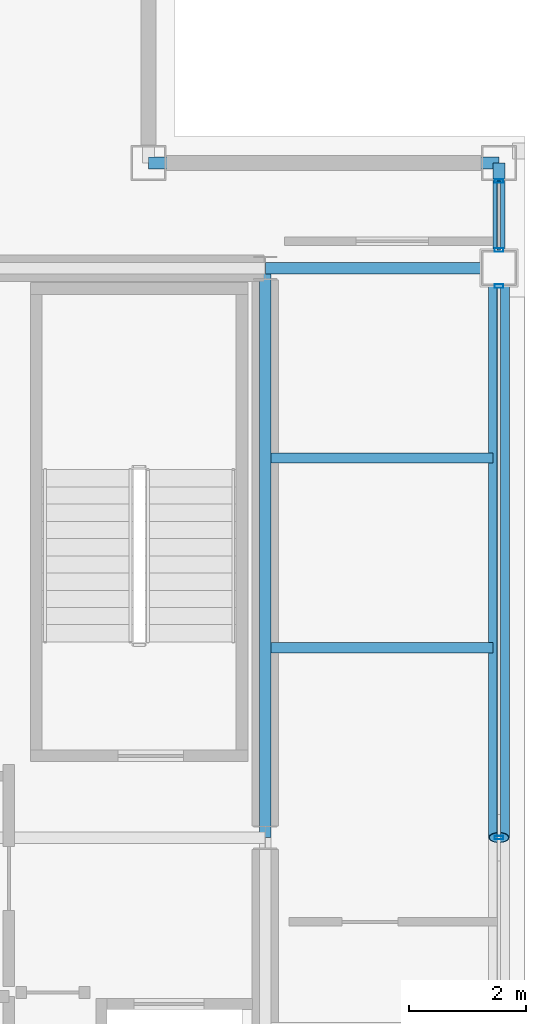
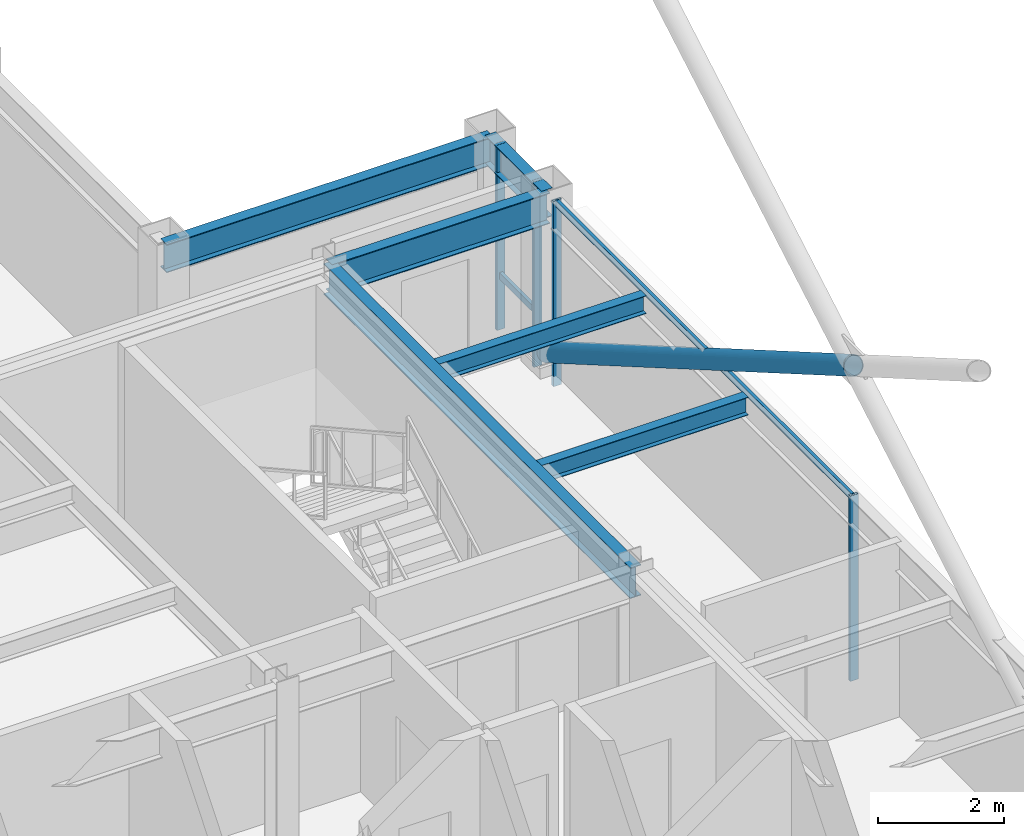
# One storey, part 14 of 24: 7 members, 6 beams, 2 elements without a shape of their own.
"""IFC4 building model written with IfcOpenShell, lengths in metres."""

from ifc_helpers import new_model, si_unit, direction, frame, origin, origin_2d, place, context, subcontext, project, spatial, hollow_rectangle, hollow_circle, i_section, extrude, material, layer, layer_set, material_profile, profile_set, type_object, element, aggregate, save


model = new_model("IFC4")

# Units and contexts
model_context = context("Model", 3, precision=1e-05, world=origin(), true_north=direction((0.0, 1.0)))
body_context = subcontext(model_context, "Body", "Model", "MODEL_VIEW")
ifc_project = project(units=[si_unit("LENGTHUNIT", "METRE"), si_unit("AREAUNIT", "SQUARE_METRE"), si_unit("VOLUMEUNIT", "CUBIC_METRE"), si_unit("PLANEANGLEUNIT", "RADIAN"), si_unit("MASSUNIT", "GRAM", prefix="KILO")], contexts=[model_context])

# Site, building, storey
site_placement = place(None, origin())
site = spatial("IfcSite", under=ifc_project, at=site_placement, CompositionType="ELEMENT")
building_placement = place(site_placement, origin())
building = spatial("IfcBuilding", under=site, at=building_placement, Name="Brelmoor Portico Tower", CompositionType="ELEMENT")
storey_placement = place(building_placement, frame((0.0, 0.0, 268.800048828125)))
storey = spatial("IfcBuildingStorey", under=building, at=storey_placement, Name="L71", CompositionType="ELEMENT", Elevation=268.800048828125)

# Beams
ifc_material_1 = material(Name="Steel Q355B", Category="steel")
ifc_material_profile_1 = material_profile(ifc_material_1, i_section(OverallWidth=0.175048828125, OverallDepth=0.35009765625, WebThickness=0.007080078125, FlangeThickness=0.010986328125, at=origin_2d()), Name="HN 350x175x7x11")
ifc_profile_set_1 = profile_set([ifc_material_profile_1], Name="Steel Q355B")
beam_type_1 = type_object("IfcBeamType", Name="BM-JS-350", PredefinedType="JOIST", material=ifc_profile_set_1)
for number, where, z_axis, x_axis, name in (
    (1, (14.64990234375, 3.25, 3.224853515625), (1.0, 0.0, 0.0), (0.0, 1.0, 0.0), "L71 Secondary Wing Joist JS-E13"),
    (2, (14.64990234375, 6.5, 3.224853515625), (1.0, 0.0, 0.0), (0.0, 1.0, 0.0), "L71 Secondary Wing Joist JS-E14"),
):
    element("IfcBeam", number, at=place(storey_placement, frame(where, z_axis=z_axis, x_axis=x_axis)), inside=storey, type_object=beam_type_1, Name=name, PredefinedType="JOIST", context=body_context, shape_type="SweptSolid", body=[
        extrude(i_section(OverallWidth=0.175048828125, OverallDepth=0.35009765625, WebThickness=0.007080078125, FlangeThickness=0.010986328125, at=origin_2d()), origin(), (0.0, 0.0, 1.0), 3.800048828125),
    ])
ifc_material_profile_2 = material_profile(ifc_material_1, i_section(OverallWidth=0.199951171875, OverallDepth=0.60009765625, WebThickness=0.010986328125, FlangeThickness=0.01708984375, at=origin_2d()), Name="HN 600x200x11x17")
ifc_profile_set_2 = profile_set([ifc_material_profile_2], Name="Steel Q355B")
beam_type_2 = type_object("IfcBeamType", Name="BM-PG-600", PredefinedType="BEAM", material=ifc_profile_set_2)
beam_1_placement = place(storey_placement, frame((14.550048828125, 0.0, 3.099853515625), z_axis=(0.0, 1.0, 0.0), x_axis=(-1.0, 0.0, 0.0)))
element("IfcBeam", 3, at=beam_1_placement, inside=storey, type_object=beam_type_2, Name="L71 Primary Floor Girder PG-10", PredefinedType="BEAM", context=body_context, shape_type="SweptSolid", body=[
    extrude(i_section(OverallWidth=0.199951171875, OverallDepth=0.60009765625, WebThickness=0.010986328125, FlangeThickness=0.01708984375, at=origin_2d()), origin(), (0.0, 0.0, 1.0), 9.75),
])
beam_2_placement = place(storey_placement, frame((14.550048828125, 9.75, 3.099853515625), z_axis=(1.0, 0.0, 0.0), x_axis=(0.0, 1.0, 0.0)))
element("IfcBeam", 4, at=beam_2_placement, inside=storey, type_object=beam_type_2, Name="L71 Primary Floor Girder PG-23", PredefinedType="BEAM", context=body_context, shape_type="SweptSolid", body=[
    extrude(i_section(OverallWidth=0.199951171875, OverallDepth=0.60009765625, WebThickness=0.010986328125, FlangeThickness=0.01708984375, at=origin_2d()), origin(), (0.0, 0.0, 1.0), 4.0),
])
ifc_material_profile_3 = material_profile(ifc_material_1, i_section(OverallWidth=0.199951171875, OverallDepth=0.550048828125, WebThickness=0.010009765625, FlangeThickness=0.01611328125, at=origin_2d()), Name="HN 550x200x10x16")
ifc_profile_set_3 = profile_set([ifc_material_profile_3], Name="Steel Q355B")
beam_type_3 = type_object("IfcBeamType", Name="BM-SP-550", PredefinedType="SPANDREL", material=ifc_profile_set_3)
beam_3_placement = place(storey_placement, frame((12.550048828125, 11.550048828125, 3.125), z_axis=(1.0, 0.0, 0.0), x_axis=(0.0, 1.0, 0.0)))
element("IfcBeam", 5, at=beam_3_placement, inside=storey, type_object=beam_type_3, Name="L71 Perimeter Spandrel Beam SP-07", PredefinedType="SPANDREL", context=body_context, shape_type="SweptSolid", body=[
    extrude(i_section(OverallWidth=0.199951171875, OverallDepth=0.550048828125, WebThickness=0.010009765625, FlangeThickness=0.01611328125, at=origin_2d()), origin(), (0.0, 0.0, 1.0), 6.0),
])
beam_4_placement = place(storey_placement, frame((18.550048828125, 9.75, 3.125), z_axis=(0.0, 1.0, 0.0), x_axis=(-1.0, 0.0, 0.0)))
element("IfcBeam", 6, at=beam_4_placement, inside=storey, type_object=beam_type_3, Name="L71 Perimeter Spandrel Beam SP-20", PredefinedType="SPANDREL", context=body_context, shape_type="SweptSolid", body=[
    extrude(i_section(OverallWidth=0.199951171875, OverallDepth=0.550048828125, WebThickness=0.010009765625, FlangeThickness=0.01611328125, at=origin_2d()), origin(), (0.0, 0.0, 1.0), 1.800048828125),
])

# Member
ifc_material_profile_4 = material_profile(ifc_material_1, hollow_circle(Radius=0.177978515625, WallThickness=0.01611328125, at=origin_2d()), Name="CHS 356x16")
ifc_profile_set_4 = profile_set([ifc_material_profile_4], Name="Steel Q355B")
member_type_1 = type_object("IfcMemberType", Name="MB-BELT-DIAG2", PredefinedType="BRACE", material=ifc_profile_set_4)
member_1_placement = place(storey_placement, frame((18.550048828125, 9.75, 0.25), z_axis=(0.0, -0.86522745352, 0.501379550515), x_axis=(1.0, 0.0, 0.0)))
element("IfcMember", 7, at=member_1_placement, inside=storey, type_object=member_type_1, Name="L71 Split Mega-X Brace 162B1", PredefinedType="BRACE", context=body_context, shape_type="SweptSolid", body=[
    extrude(hollow_circle(Radius=0.177978515625, WallThickness=0.01611328125, at=origin_2d()), origin(), (0.0, 0.0, 1.0), 11.268798828125),
])

# Curtain wall, members
ifc_material_2 = material(Name="Anodised Aluminium Alloy 6063-T6", Category="aluminium")
ifc_layer_1 = layer(ifc_material_2, 0.179931640625)
ifc_layer_set_1 = layer_set([ifc_layer_1], Name="Anodised Aluminium Alloy 6063-T6")
curtain_wall_type_1 = type_object("IfcCurtainWallType", Name="CW-TOWER-Z4-XB", PredefinedType="NOTDEFINED", material=ifc_layer_set_1)
curtain_wall_1_placement = place(storey_placement, origin())
curtain_wall_1 = element("IfcCurtainWall", 8, at=curtain_wall_1_placement, inside=storey, type_object=curtain_wall_type_1, Name="L71 Curtain Wall CW-L71-04-2", PredefinedType="NOTDEFINED")
ifc_material_profile_5 = material_profile(ifc_material_2, hollow_rectangle(XDim=0.06005859375, YDim=0.14990234375, WallThickness=0.00390625, at=origin_2d()), Name="ALU MULLION 60x150")
ifc_profile_set_5 = profile_set([ifc_material_profile_5], Name="Anodised Aluminium Alloy 6063-T6")
member_type_2 = type_object("IfcMemberType", Name="MB-CW-MULL-150", PredefinedType="MULLION", material=ifc_profile_set_5)
member_2_placement = place(storey_placement, frame((18.550048828125, 0.0, -0.199951171875), z_axis=(0.0, 0.0, 1.0), x_axis=(0.0, 1.0, 0.0)))
member_2 = element("IfcMember", 9, at=member_2_placement, type_object=member_type_2, Name="CW-L71-04-2 Mullion 01", PredefinedType="MULLION", context=body_context, shape_type="SweptSolid", body=[
    extrude(hollow_rectangle(XDim=0.06005859375, YDim=0.14990234375, WallThickness=0.00390625, at=origin_2d()), origin(), (0.0, 0.0, 1.0), 3.599853515625),
])
member_3_placement = place(storey_placement, frame((18.550048828125, 9.43994140625, -0.199951171875), z_axis=(0.0, 0.0, 1.0), x_axis=(0.0, 1.0, 0.0)))
member_3 = element("IfcMember", 10, at=member_3_placement, type_object=member_type_2, Name="CW-L71-04-2 Mullion 02", PredefinedType="MULLION", context=body_context, shape_type="SweptSolid", body=[
    extrude(hollow_rectangle(XDim=0.06005859375, YDim=0.14990234375, WallThickness=0.00390625, at=origin_2d()), origin(), (0.0, 0.0, 1.0), 3.599853515625),
])

ifc_layer_2 = layer(ifc_material_2, 0.179931640625)
ifc_layer_set_2 = layer_set([ifc_layer_2], Name="Anodised Aluminium Alloy 6063-T6")
curtain_wall_type_2 = type_object("IfcCurtainWallType", Name="CW-TOWER-Z4", PredefinedType="NOTDEFINED", material=ifc_layer_set_2)
curtain_wall_2_placement = place(storey_placement, origin())
curtain_wall_2 = element("IfcCurtainWall", 11, at=curtain_wall_2_placement, inside=storey, type_object=curtain_wall_type_2, Name="L71 Curtain Wall CW-L71-04-3", PredefinedType="NOTDEFINED")
member_4_placement = place(storey_placement, frame((18.550048828125, 10.06005859375, -0.199951171875), z_axis=(0.0, 0.0, 1.0), x_axis=(0.0, 1.0, 0.0)))
member_4 = element("IfcMember", 12, at=member_4_placement, type_object=member_type_2, Name="CW-L71-04-3 Mullion 00", PredefinedType="MULLION", context=body_context, shape_type="SweptSolid", body=[
    extrude(hollow_rectangle(XDim=0.06005859375, YDim=0.14990234375, WallThickness=0.00390625, at=origin_2d()), origin(), (0.0, 0.0, 1.0), 3.599853515625),
])
member_5_placement = place(storey_placement, frame((18.550048828125, 11.239990234375, -0.199951171875), z_axis=(0.0, 0.0, 1.0), x_axis=(0.0, 1.0, 0.0)))
member_5 = element("IfcMember", 13, at=member_5_placement, type_object=member_type_2, Name="CW-L71-04-3 Mullion 01", PredefinedType="MULLION", context=body_context, shape_type="SweptSolid", body=[
    extrude(hollow_rectangle(XDim=0.06005859375, YDim=0.14990234375, WallThickness=0.00390625, at=origin_2d()), origin(), (0.0, 0.0, 1.0), 3.599853515625),
])

# Member
ifc_material_profile_6 = material_profile(ifc_material_2, hollow_rectangle(XDim=0.06005859375, YDim=0.125, WallThickness=0.00341796875, at=origin_2d()), Name="ALU TRANSOM 60x125")
ifc_profile_set_6 = profile_set([ifc_material_profile_6], Name="Anodised Aluminium Alloy 6063-T6")
member_type_3 = type_object("IfcMemberType", Name="MB-CW-TRAN-125", PredefinedType="USERDEFINED", material=ifc_profile_set_6)
member_6_placement = place(storey_placement, frame((18.550048828125, 0.0, 3.33740234375), z_axis=(0.0, 1.0, 0.0), x_axis=(-1.0, 0.0, 0.0)))
member_6 = element("IfcMember", 14, at=member_6_placement, type_object=member_type_3, Name="CW-L71-04-2 Transom 1-01", ObjectType="TRANSOM", PredefinedType="USERDEFINED", context=body_context, shape_type="SweptSolid", body=[
    extrude(hollow_rectangle(XDim=0.06005859375, YDim=0.125, WallThickness=0.00341796875, at=origin_2d()), origin(), (0.0, 0.0, 1.0), 9.43994140625),
])

aggregate(curtain_wall_1, [member_2, member_3, member_6])

member_7_placement = place(storey_placement, frame((18.550048828125, 10.06005859375, 0.849853515625), z_axis=(0.0, 1.0, 0.0), x_axis=(-1.0, 0.0, 0.0)))
member_7 = element("IfcMember", 15, at=member_7_placement, type_object=member_type_3, Name="CW-L71-04-3 Transom 1-00", ObjectType="TRANSOM", PredefinedType="USERDEFINED", context=body_context, shape_type="SweptSolid", body=[
    extrude(hollow_rectangle(XDim=0.06005859375, YDim=0.125, WallThickness=0.00341796875, at=origin_2d()), origin(), (0.0, 0.0, 1.0), 1.179931640625),
])

aggregate(curtain_wall_2, [member_4, member_5, member_7])

save(model, "model.ifc")
